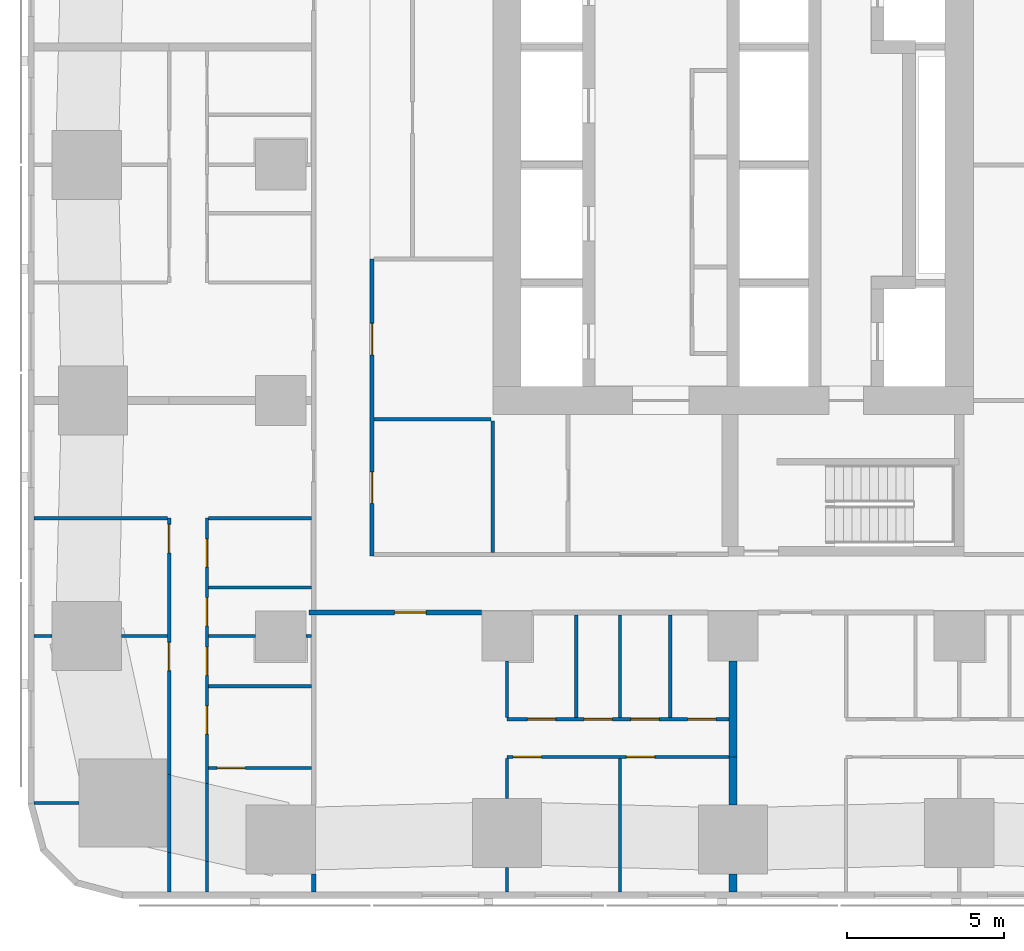
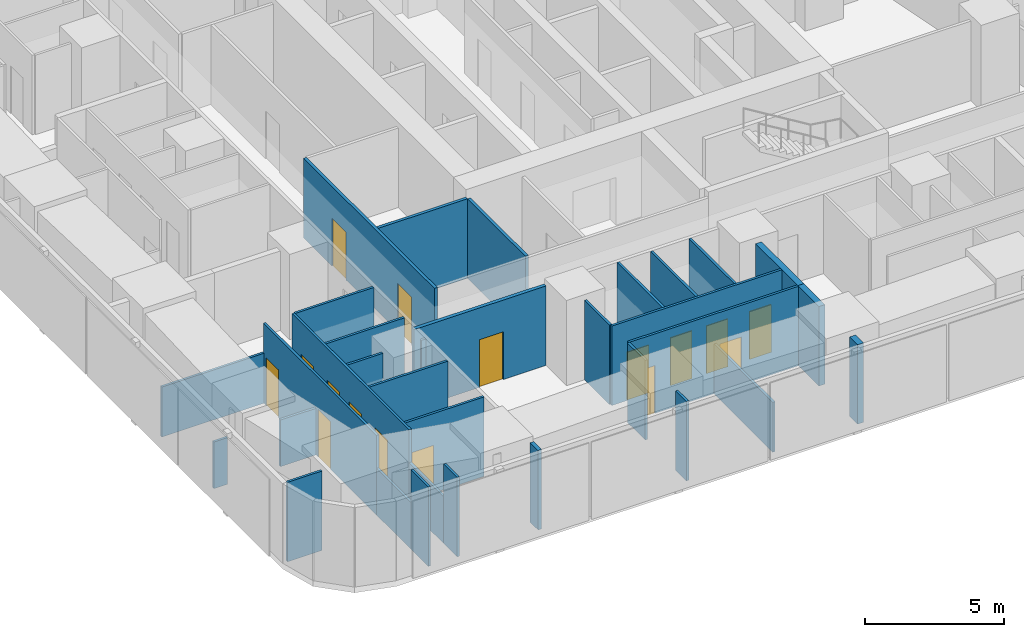
# One storey, part 2 of 15: 33 walls, 16 doors, 16 openings.
"""IFC4 building model written with IfcOpenShell, lengths in metres."""

from ifc_helpers import new_model, si_unit, direction, frame, frame_2d, origin, place, context, subcontext, project, spatial, rectangle, extrude, material, layer, layer_set, type_object, element, fill, save


model = new_model("IFC4")

# Units and contexts
model_context = context("Model", 3, precision=1e-05, world=origin(), true_north=direction((0.0, 1.0)))
body_context = subcontext(model_context, "Body", "Model", "MODEL_VIEW")
ifc_project = project(units=[si_unit("LENGTHUNIT", "METRE"), si_unit("AREAUNIT", "SQUARE_METRE"), si_unit("VOLUMEUNIT", "CUBIC_METRE"), si_unit("PLANEANGLEUNIT", "RADIAN"), si_unit("MASSUNIT", "GRAM", prefix="KILO")], contexts=[model_context])

# Site, building, storey
site_placement = place(None, origin())
site = spatial("IfcSite", under=ifc_project, at=site_placement, CompositionType="ELEMENT")
building_placement = place(site_placement, origin())
building = spatial("IfcBuilding", under=site, at=building_placement, Name="Sheger Commons Tower", CompositionType="ELEMENT")
storey_placement = place(building_placement, frame((0.0, 0.0, 104.14990234375)))
storey = spatial("IfcBuildingStorey", under=building, at=storey_placement, Name="L26", CompositionType="ELEMENT", Elevation=104.14990234375)

# Wall
ifc_material_1 = material(Name="Hollow concrete block masonry, skimmed both sides", Category="masonry")
ifc_layer_1 = layer(ifc_material_1, 0.14990234375)
ifc_layer_set_1 = layer_set([ifc_layer_1], Name="CORRIDOR WALL 150")
wall_type_1 = type_object("IfcWallType", Name="CORRIDOR WALL 150", PredefinedType="SOLIDWALL", material=ifc_layer_set_1)
wall_1_placement = place(storey_placement, frame((8.25, -0.64990234375, 0.0), z_axis=(0.0, 0.0, 1.0), x_axis=(0.0, 1.0, 0.0)))
element("IfcWall", 1, at=wall_1_placement, inside=storey, type_object=wall_type_1, Name="Corridor wall L26", PredefinedType="SOLIDWALL", context=body_context, shape_type="SweptSolid", body=[
    extrude(rectangle(XDim=0.573974609375, YDim=0.14990234375, at=frame_2d((0.287109375, 0.0))), origin(), (0.0, 0.0, 1.0), 3.5),
])

# Wall, opening, door
wall_2_placement = place(storey_placement, frame((13.59912109375, 8.25, 0.0), z_axis=(0.0, 0.0, 1.0), x_axis=(-1.0, 0.0, 0.0)))
wall_2 = element("IfcWall", 2, at=wall_2_placement, inside=storey, type_object=wall_type_1, Name="Corridor wall L26", PredefinedType="SOLIDWALL", context=body_context, shape_type="SweptSolid", body=[
    extrude(rectangle(XDim=5.4990234375, YDim=0.14990234375, at=frame_2d((2.74951171875, 0.0))), origin(), (0.0, 0.0, 1.0), 3.5),
])
opening_1_placement = place(wall_2_placement, frame((1.77392578125, 0.0, 0.0)))
opening_1 = element("IfcOpeningElement", 3, at=opening_1_placement, cuts=wall_2, Name="Opening D1", PredefinedType="OPENING", context=body_context, shape_type="SweptSolid", body=[
    extrude(rectangle(XDim=1.0, YDim=2.10009765625, at=frame_2d((0.5, 1.050048828125))), frame((0.0, 0.0849609375, 0.0), z_axis=(0.0, -1.0, 0.0), x_axis=(1.0, 0.0, 0.0)), (0.0, 0.0, 1.0), 0.169921875),
])
ifc_material_2 = material(Name="Steel door set, fire rated", Category="steel")
door_type_1 = type_object("IfcDoorType", Name="FLAT ENTRANCE DOOR 1000x2100", OperationType="NOTDEFINED", PredefinedType="DOOR", material=ifc_material_2)
door_1_placement = place(opening_1_placement, origin())
door_1 = element("IfcDoor", 4, at=door_1_placement, inside=storey, type_object=door_type_1, Name="Flat entrance door", OperationType="SINGLE_SWING_RIGHT", OverallHeight=2.10009765625, OverallWidth=1.0, PredefinedType="DOOR", context=body_context, shape_type="SweptSolid", body=[
    extrude(rectangle(XDim=1.0, YDim=2.10009765625, at=frame_2d((0.5, 1.050048828125))), frame((0.0, 0.02490234375, 0.0), z_axis=(0.0, -1.0, 0.0), x_axis=(1.0, 0.0, 0.0)), (0.0, 0.0, 1.0), 0.050048828125),
])
fill(opening_1, door_1)

# Walls
ifc_material_3 = material(Name="Dense concrete block masonry, plastered both sides (separating wall between flats)", Category="masonry")
ifc_layer_2 = layer(ifc_material_3, 0.25)
ifc_layer_set_2 = layer_set([ifc_layer_2], Name="DEMISING WALL 250")
wall_type_2 = type_object("IfcWallType", Name="DEMISING WALL 250", PredefinedType="SOLIDWALL", material=ifc_layer_set_2)
wall_3_placement = place(storey_placement, frame((21.60009765625, -0.64990234375, 0.0), z_axis=(0.0, 0.0, 1.0), x_axis=(0.0, 1.0, 0.0)))
element("IfcWall", 5, at=wall_3_placement, inside=storey, type_object=wall_type_2, Name="Demising wall L26", PredefinedType="SOLIDWALL", context=body_context, shape_type="SweptSolid", body=[
    extrude(rectangle(XDim=0.573974609375, YDim=0.25, at=frame_2d((0.287109375, 0.0))), origin(), (0.0, 0.0, 1.0), 3.5),
])
wall_4_placement = place(storey_placement, frame((21.60009765625, 2.1259765625, 0.0), z_axis=(0.0, 0.0, 1.0), x_axis=(0.0, 1.0, 0.0)))
element("IfcWall", 6, at=wall_4_placement, inside=storey, type_object=wall_type_2, Name="Demising wall L26", PredefinedType="SOLIDWALL", context=body_context, shape_type="SweptSolid", body=[
    extrude(rectangle(XDim=1.52392578125, YDim=0.25, at=frame_2d((0.761962890625, 0.0))), origin(), (0.0, 0.0, 1.0), 3.5),
])
wall_5_placement = place(storey_placement, frame((21.60009765625, 3.64990234375, 0.0), z_axis=(0.0, 0.0, 1.0), x_axis=(0.0, 1.0, 0.0)))
element("IfcWall", 7, at=wall_5_placement, inside=storey, type_object=wall_type_2, Name="Demising wall L26", PredefinedType="SOLIDWALL", context=body_context, shape_type="SweptSolid", body=[
    extrude(rectangle(XDim=3.049072265625, YDim=0.25, at=frame_2d((1.5244140625, 0.0))), origin(), (0.0, 0.0, 1.0), 3.5),
])
ifc_material_4 = material(Name="Gypsum board on steel studs", Category="steel")
ifc_layer_3 = layer(ifc_material_4, 0.10009765625)
ifc_layer_set_3 = layer_set([ifc_layer_3], Name="PARTITION 100")
wall_type_3 = type_object("IfcWallType", Name="PARTITION 100", PredefinedType="PARTITIONING", material=ifc_layer_set_3)
wall_6_placement = place(storey_placement, frame((3.64990234375, -0.64990234375, 0.0), z_axis=(0.0, 0.0, 1.0), x_axis=(0.0, 1.0, 0.0)))
element("IfcWall", 8, at=wall_6_placement, inside=storey, type_object=wall_type_3, Name="Partition L26", PredefinedType="PARTITIONING", context=body_context, shape_type="SweptSolid", body=[
    extrude(rectangle(XDim=1.25390625, YDim=0.10009765625, at=frame_2d((0.626953125, 0.0))), origin(), (0.0, 0.0, 1.0), 3.5),
])
wall_7_placement = place(storey_placement, frame((3.64990234375, 0.60400390625, 0.0), z_axis=(0.0, 0.0, 1.0), x_axis=(0.0, 1.0, 0.0)))
element("IfcWall", 9, at=wall_7_placement, inside=storey, type_object=wall_type_3, Name="Partition L26", PredefinedType="PARTITIONING", context=body_context, shape_type="SweptSolid", body=[
    extrude(rectangle(XDim=2.486083984375, YDim=0.10009765625, at=frame_2d((1.2431640625, 0.0))), origin(), (0.0, 0.0, 1.0), 2.050048828125),
])

# Wall, openings, doors
wall_8_placement = place(storey_placement, frame((3.64990234375, 3.090087890625, 0.0), z_axis=(0.0, 0.0, 1.0), x_axis=(0.0, 1.0, 0.0)))
wall_8 = element("IfcWall", 10, at=wall_8_placement, inside=storey, type_object=wall_type_3, Name="Partition L26", PredefinedType="PARTITIONING", context=body_context, shape_type="SweptSolid", body=[
    extrude(rectangle(XDim=8.159912109375, YDim=0.10009765625, at=frame_2d((4.080078125, 0.0))), origin(), (0.0, 0.0, 1.0), 3.5),
])
opening_2_placement = place(wall_8_placement, frame((7.06005859375, 0.0, 0.0)))
opening_2 = element("IfcOpeningElement", 11, at=opening_2_placement, cuts=wall_8, Name="Opening D2", PredefinedType="OPENING", context=body_context, shape_type="SweptSolid", body=[
    extrude(rectangle(XDim=0.89990234375, YDim=2.10009765625, at=frame_2d((0.449951171875, 1.050048828125))), frame((0.0, 0.06005859375, 0.0), z_axis=(0.0, -1.0, 0.0), x_axis=(1.0, 0.0, 0.0)), (0.0, 0.0, 1.0), 0.1201171875),
])
opening_3_placement = place(wall_8_placement, frame((3.31005859375, 0.0, 0.0)))
opening_3 = element("IfcOpeningElement", 12, at=opening_3_placement, cuts=wall_8, Name="Opening D2", PredefinedType="OPENING", context=body_context, shape_type="SweptSolid", body=[
    extrude(rectangle(XDim=0.89990234375, YDim=2.10009765625, at=frame_2d((0.449951171875, 1.050048828125))), frame((0.0, 0.06005859375, 0.0), z_axis=(0.0, -1.0, 0.0), x_axis=(1.0, 0.0, 0.0)), (0.0, 0.0, 1.0), 0.1201171875),
])
ifc_material_5 = material(Name="Timber door set", Category="wood")
door_type_2 = type_object("IfcDoorType", Name="INTERNAL DOOR 900x2100", OperationType="NOTDEFINED", PredefinedType="DOOR", material=ifc_material_5)
door_2_placement = place(opening_2_placement, origin())
door_2 = element("IfcDoor", 13, at=door_2_placement, inside=storey, type_object=door_type_2, Name="Main bedroom door", OperationType="SINGLE_SWING_RIGHT", OverallHeight=2.10009765625, OverallWidth=0.89990234375, PredefinedType="DOOR", context=body_context, shape_type="SweptSolid", body=[
    extrude(rectangle(XDim=0.89990234375, YDim=2.10009765625, at=frame_2d((0.449951171875, 1.050048828125))), frame((0.0, 0.02490234375, 0.0), z_axis=(0.0, -1.0, 0.0), x_axis=(1.0, 0.0, 0.0)), (0.0, 0.0, 1.0), 0.050048828125),
])
fill(opening_2, door_2)
door_3_placement = place(opening_3_placement, origin())
door_3 = element("IfcDoor", 14, at=door_3_placement, inside=storey, type_object=door_type_2, Name="Bedroom 2 door", OperationType="SINGLE_SWING_RIGHT", OverallHeight=2.10009765625, OverallWidth=0.89990234375, PredefinedType="DOOR", context=body_context, shape_type="SweptSolid", body=[
    extrude(rectangle(XDim=0.89990234375, YDim=2.10009765625, at=frame_2d((0.449951171875, 1.050048828125))), frame((0.0, 0.02490234375, 0.0), z_axis=(0.0, -1.0, 0.0), x_axis=(1.0, 0.0, 0.0)), (0.0, 0.0, 1.0), 0.050048828125),
])
fill(opening_3, door_3)

# Walls
wall_9_placement = place(storey_placement, frame((4.85009765625, -0.64990234375, 0.0), z_axis=(0.0, 0.0, 1.0), x_axis=(0.0, 1.0, 0.0)))
element("IfcWall", 15, at=wall_9_placement, inside=storey, type_object=wall_type_3, Name="Partition L26", PredefinedType="PARTITIONING", context=body_context, shape_type="SweptSolid", body=[
    extrude(rectangle(XDim=0.975830078125, YDim=0.10009765625, at=frame_2d((0.48779296875, 0.0))), origin(), (0.0, 0.0, 1.0), 3.5),
])
wall_10_placement = place(storey_placement, frame((4.85009765625, 0.325927734375, 0.0), z_axis=(0.0, 0.0, 1.0), x_axis=(0.0, 1.0, 0.0)))
element("IfcWall", 16, at=wall_10_placement, inside=storey, type_object=wall_type_3, Name="Partition L26", PredefinedType="PARTITIONING", context=body_context, shape_type="SweptSolid", body=[
    extrude(rectangle(XDim=2.486083984375, YDim=0.10009765625, at=frame_2d((1.2431640625, 0.0))), origin(), (0.0, 0.0, 1.0), 2.050048828125),
])

# Wall, openings, doors
wall_11_placement = place(storey_placement, frame((4.85009765625, 2.81201171875, 0.0), z_axis=(0.0, 0.0, 1.0), x_axis=(0.0, 1.0, 0.0)))
wall_11 = element("IfcWall", 17, at=wall_11_placement, inside=storey, type_object=wall_type_3, Name="Partition L26", PredefinedType="PARTITIONING", context=body_context, shape_type="SweptSolid", body=[
    extrude(rectangle(XDim=8.43798828125, YDim=0.10009765625, at=frame_2d((4.218994140625, 0.0))), origin(), (0.0, 0.0, 1.0), 3.5),
])
opening_4_placement = place(wall_11_placement, frame((6.883056640625, 0.0, 0.0)))
opening_4 = element("IfcOpeningElement", 18, at=opening_4_placement, cuts=wall_11, Name="Opening D2", PredefinedType="OPENING", context=body_context, shape_type="SweptSolid", body=[
    extrude(rectangle(XDim=0.89990234375, YDim=2.10009765625, at=frame_2d((0.449951171875, 1.050048828125))), frame((0.0, 0.06005859375, 0.0), z_axis=(0.0, -1.0, 0.0), x_axis=(1.0, 0.0, 0.0)), (0.0, 0.0, 1.0), 0.1201171875),
])
opening_5_placement = place(wall_11_placement, frame((3.43798828125, 0.0, 0.0)))
opening_5 = element("IfcOpeningElement", 19, at=opening_5_placement, cuts=wall_11, Name="Opening D2", PredefinedType="OPENING", context=body_context, shape_type="SweptSolid", body=[
    extrude(rectangle(XDim=0.89990234375, YDim=2.10009765625, at=frame_2d((0.449951171875, 1.050048828125))), frame((0.0, 0.06005859375, 0.0), z_axis=(0.0, -1.0, 0.0), x_axis=(1.0, 0.0, 0.0)), (0.0, 0.0, 1.0), 0.1201171875),
])
opening_6_placement = place(wall_11_placement, frame((5.008056640625, 0.0, 0.0)))
opening_6 = element("IfcOpeningElement", 20, at=opening_6_placement, cuts=wall_11, Name="Opening D2", PredefinedType="OPENING", context=body_context, shape_type="SweptSolid", body=[
    extrude(rectangle(XDim=0.89990234375, YDim=2.10009765625, at=frame_2d((0.449951171875, 1.050048828125))), frame((0.0, 0.06005859375, 0.0), z_axis=(0.0, -1.0, 0.0), x_axis=(1.0, 0.0, 0.0)), (0.0, 0.0, 1.0), 0.1201171875),
])
opening_7_placement = place(wall_11_placement, frame((1.56298828125, 0.0, 0.0)))
opening_7 = element("IfcOpeningElement", 21, at=opening_7_placement, cuts=wall_11, Name="Opening D2", PredefinedType="OPENING", context=body_context, shape_type="SweptSolid", body=[
    extrude(rectangle(XDim=0.89990234375, YDim=2.10009765625, at=frame_2d((0.449951171875, 1.050048828125))), frame((0.0, 0.06005859375, 0.0), z_axis=(0.0, -1.0, 0.0), x_axis=(1.0, 0.0, 0.0)), (0.0, 0.0, 1.0), 0.1201171875),
])
door_4_placement = place(opening_4_placement, origin())
door_4 = element("IfcDoor", 22, at=door_4_placement, inside=storey, type_object=door_type_2, Name="Bathroom door", OperationType="SINGLE_SWING_LEFT", OverallHeight=2.10009765625, OverallWidth=0.89990234375, PredefinedType="DOOR", context=body_context, shape_type="SweptSolid", body=[
    extrude(rectangle(XDim=0.89990234375, YDim=2.10009765625, at=frame_2d((0.449951171875, 1.050048828125))), frame((0.0, 0.02490234375, 0.0), z_axis=(0.0, -1.0, 0.0), x_axis=(1.0, 0.0, 0.0)), (0.0, 0.0, 1.0), 0.050048828125),
])
fill(opening_4, door_4)
door_5_placement = place(opening_5_placement, origin())
door_5 = element("IfcDoor", 23, at=door_5_placement, inside=storey, type_object=door_type_2, Name="Shower room door", OperationType="SINGLE_SWING_RIGHT", OverallHeight=2.10009765625, OverallWidth=0.89990234375, PredefinedType="DOOR", context=body_context, shape_type="SweptSolid", body=[
    extrude(rectangle(XDim=0.89990234375, YDim=2.10009765625, at=frame_2d((0.449951171875, 1.050048828125))), frame((0.0, 0.02490234375, 0.0), z_axis=(0.0, -1.0, 0.0), x_axis=(1.0, 0.0, 0.0)), (0.0, 0.0, 1.0), 0.050048828125),
])
fill(opening_5, door_5)
door_6_placement = place(opening_6_placement, origin())
door_6 = element("IfcDoor", 24, at=door_6_placement, inside=storey, type_object=door_type_2, Name="Store door", OperationType="SINGLE_SWING_LEFT", OverallHeight=2.10009765625, OverallWidth=0.89990234375, PredefinedType="DOOR", context=body_context, shape_type="SweptSolid", body=[
    extrude(rectangle(XDim=0.89990234375, YDim=2.10009765625, at=frame_2d((0.449951171875, 1.050048828125))), frame((0.0, 0.02490234375, 0.0), z_axis=(0.0, -1.0, 0.0), x_axis=(1.0, 0.0, 0.0)), (0.0, 0.0, 1.0), 0.050048828125),
])
fill(opening_6, door_6)
door_7_placement = place(opening_7_placement, origin())
door_7 = element("IfcDoor", 25, at=door_7_placement, inside=storey, type_object=door_type_2, Name="Store door", OperationType="SINGLE_SWING_LEFT", OverallHeight=2.10009765625, OverallWidth=0.89990234375, PredefinedType="DOOR", context=body_context, shape_type="SweptSolid", body=[
    extrude(rectangle(XDim=0.89990234375, YDim=2.10009765625, at=frame_2d((0.449951171875, 1.050048828125))), frame((0.0, 0.02490234375, 0.0), z_axis=(0.0, -1.0, 0.0), x_axis=(1.0, 0.0, 0.0)), (0.0, 0.0, 1.0), 0.050048828125),
])
fill(opening_7, door_7)

# Walls
wall_12_placement = place(storey_placement, frame((-0.64990234375, 2.18603515625, 0.0), z_axis=(0.0, 0.0, 1.0), x_axis=(1.0, 0.0, 0.0)))
element("IfcWall", 26, at=wall_12_placement, inside=storey, type_object=wall_type_3, Name="Partition L26", PredefinedType="PARTITIONING", context=body_context, shape_type="SweptSolid", body=[
    extrude(rectangle(XDim=1.434814453125, YDim=0.10009765625, at=frame_2d((0.71728515625, 0.0))), origin(), (0.0, 0.0, 1.0), 3.5),
])
wall_13_placement = place(storey_placement, frame((-0.64990234375, 7.5, 0.0), z_axis=(0.0, 0.0, 1.0), x_axis=(1.0, 0.0, 0.0)))
element("IfcWall", 27, at=wall_13_placement, inside=storey, type_object=wall_type_3, Name="Partition L26", PredefinedType="PARTITIONING", context=body_context, shape_type="SweptSolid", body=[
    extrude(rectangle(XDim=0.573974609375, YDim=0.10009765625, at=frame_2d((0.287109375, 0.0))), origin(), (0.0, 0.0, 1.0), 2.050048828125),
])
wall_14_placement = place(storey_placement, frame((2.1259765625, 7.5, 0.0), z_axis=(0.0, 0.0, 1.0), x_axis=(1.0, 0.0, 0.0)))
element("IfcWall", 28, at=wall_14_placement, inside=storey, type_object=wall_type_3, Name="Partition L26", PredefinedType="PARTITIONING", context=body_context, shape_type="SweptSolid", body=[
    extrude(rectangle(XDim=1.47412109375, YDim=0.10009765625, at=frame_2d((0.737060546875, 0.0))), origin(), (0.0, 0.0, 1.0), 2.050048828125),
])
wall_15_placement = place(storey_placement, frame((-0.64990234375, 11.25, 0.0), z_axis=(0.0, 0.0, 1.0), x_axis=(1.0, 0.0, 0.0)))
element("IfcWall", 29, at=wall_15_placement, inside=storey, type_object=wall_type_3, Name="Partition L26", PredefinedType="PARTITIONING", context=body_context, shape_type="SweptSolid", body=[
    extrude(rectangle(XDim=4.25, YDim=0.10009765625, at=frame_2d((2.125, 0.0))), origin(), (0.0, 0.0, 1.0), 2.2001953125),
])
wall_16_placement = place(storey_placement, frame((4.89990234375, 7.5, 0.0), z_axis=(0.0, 0.0, 1.0), x_axis=(1.0, 0.0, 0.0)))
element("IfcWall", 30, at=wall_16_placement, inside=storey, type_object=wall_type_3, Name="Partition L26", PredefinedType="PARTITIONING", context=body_context, shape_type="SweptSolid", body=[
    extrude(rectangle(XDim=1.4990234375, YDim=0.10009765625, at=frame_2d((0.74951171875, 0.0))), origin(), (0.0, 0.0, 1.0), 3.5),
])
wall_17_placement = place(storey_placement, frame((8.0009765625, 7.5, 0.0), z_axis=(0.0, 0.0, 1.0), x_axis=(1.0, 0.0, 0.0)))
element("IfcWall", 31, at=wall_17_placement, inside=storey, type_object=wall_type_3, Name="Partition L26", PredefinedType="PARTITIONING", context=body_context, shape_type="SweptSolid", body=[
    extrude(rectangle(XDim=0.174072265625, YDim=0.10009765625, at=frame_2d((0.0869140625, 0.0))), origin(), (0.0, 0.0, 1.0), 3.5),
])
for number, where, z_axis, x_axis, name in (
    (32, (4.89990234375, 11.25, 0.0), (0.0, 0.0, 1.0), (1.0, 0.0, 0.0), "Partition L26"),
    (33, (4.89990234375, 9.0400390625, 0.0), (0.0, 0.0, 1.0), (1.0, 0.0, 0.0), "Partition L26"),
    (34, (4.89990234375, 5.89990234375, 0.0), (0.0, 0.0, 1.0), (1.0, 0.0, 0.0), "Partition L26"),
):
    element("IfcWall", number, at=place(storey_placement, frame(where, z_axis=z_axis, x_axis=x_axis)), inside=storey, type_object=wall_type_3, Name=name, PredefinedType="PARTITIONING", context=body_context, shape_type="SweptSolid", body=[
        extrude(rectangle(XDim=3.275146484375, YDim=0.10009765625, at=frame_2d((1.6376953125, 0.0))), origin(), (0.0, 0.0, 1.0), 3.5),
    ])

# Wall, openings, doors
wall_18_placement = place(storey_placement, frame((21.47509765625, 3.64990234375, 0.0), z_axis=(0.0, 0.0, 1.0), x_axis=(-1.0, 0.0, 0.0)))
wall_18 = element("IfcWall", 35, at=wall_18_placement, inside=storey, type_object=wall_type_3, Name="Partition L26", PredefinedType="PARTITIONING", context=body_context, shape_type="SweptSolid", body=[
    extrude(rectangle(XDim=7.0751953125, YDim=0.10009765625, at=frame_2d((3.53759765625, 0.0))), origin(), (0.0, 0.0, 1.0), 3.5),
])
opening_8_placement = place(wall_18_placement, frame((5.97509765625, 0.0, 0.0)))
opening_8 = element("IfcOpeningElement", 36, at=opening_8_placement, cuts=wall_18, Name="Opening D2", PredefinedType="OPENING", context=body_context, shape_type="SweptSolid", body=[
    extrude(rectangle(XDim=0.89990234375, YDim=2.10009765625, at=frame_2d((0.449951171875, 1.050048828125))), frame((0.0, 0.06005859375, 0.0), z_axis=(0.0, -1.0, 0.0), x_axis=(1.0, 0.0, 0.0)), (0.0, 0.0, 1.0), 0.1201171875),
])
opening_9_placement = place(wall_18_placement, frame((2.375, 0.0, 0.0)))
opening_9 = element("IfcOpeningElement", 37, at=opening_9_placement, cuts=wall_18, Name="Opening D2", PredefinedType="OPENING", context=body_context, shape_type="SweptSolid", body=[
    extrude(rectangle(XDim=0.89990234375, YDim=2.10009765625, at=frame_2d((0.449951171875, 1.050048828125))), frame((0.0, 0.06005859375, 0.0), z_axis=(0.0, -1.0, 0.0), x_axis=(1.0, 0.0, 0.0)), (0.0, 0.0, 1.0), 0.1201171875),
])
door_8_placement = place(opening_8_placement, origin())
door_8 = element("IfcDoor", 38, at=door_8_placement, inside=storey, type_object=door_type_2, Name="Main bedroom door", OperationType="SINGLE_SWING_RIGHT", OverallHeight=2.10009765625, OverallWidth=0.89990234375, PredefinedType="DOOR", context=body_context, shape_type="SweptSolid", body=[
    extrude(rectangle(XDim=0.89990234375, YDim=2.10009765625, at=frame_2d((0.449951171875, 1.050048828125))), frame((0.0, 0.02490234375, 0.0), z_axis=(0.0, -1.0, 0.0), x_axis=(1.0, 0.0, 0.0)), (0.0, 0.0, 1.0), 0.050048828125),
])
fill(opening_8, door_8)
door_9_placement = place(opening_9_placement, origin())
door_9 = element("IfcDoor", 39, at=door_9_placement, inside=storey, type_object=door_type_2, Name="Bedroom 2 door", OperationType="SINGLE_SWING_RIGHT", OverallHeight=2.10009765625, OverallWidth=0.89990234375, PredefinedType="DOOR", context=body_context, shape_type="SweptSolid", body=[
    extrude(rectangle(XDim=0.89990234375, YDim=2.10009765625, at=frame_2d((0.449951171875, 1.050048828125))), frame((0.0, 0.02490234375, 0.0), z_axis=(0.0, -1.0, 0.0), x_axis=(1.0, 0.0, 0.0)), (0.0, 0.0, 1.0), 0.050048828125),
])
fill(opening_9, door_9)

wall_19_placement = place(storey_placement, frame((21.47509765625, 4.85009765625, 0.0), z_axis=(0.0, 0.0, 1.0), x_axis=(-1.0, 0.0, 0.0)))
wall_19 = element("IfcWall", 40, at=wall_19_placement, inside=storey, type_object=wall_type_3, Name="Partition L26", PredefinedType="PARTITIONING", context=body_context, shape_type="SweptSolid", body=[
    extrude(rectangle(XDim=7.0751953125, YDim=0.10009765625, at=frame_2d((3.53759765625, 0.0))), origin(), (0.0, 0.0, 1.0), 3.5),
])
opening_10_placement = place(wall_19_placement, frame((5.52001953125, 0.0, 0.0)))
opening_10 = element("IfcOpeningElement", 41, at=opening_10_placement, cuts=wall_19, Name="Opening D2", PredefinedType="OPENING", context=body_context, shape_type="SweptSolid", body=[
    extrude(rectangle(XDim=0.89990234375, YDim=2.10009765625, at=frame_2d((0.449951171875, 1.050048828125))), frame((0.0, 0.06005859375, 0.0), z_axis=(0.0, -1.0, 0.0), x_axis=(1.0, 0.0, 0.0)), (0.0, 0.0, 1.0), 0.1201171875),
])
opening_11_placement = place(wall_19_placement, frame((2.22509765625, 0.0, 0.0)))
opening_11 = element("IfcOpeningElement", 42, at=opening_11_placement, cuts=wall_19, Name="Opening D2", PredefinedType="OPENING", context=body_context, shape_type="SweptSolid", body=[
    extrude(rectangle(XDim=0.89990234375, YDim=2.10009765625, at=frame_2d((0.449951171875, 1.050048828125))), frame((0.0, 0.06005859375, 0.0), z_axis=(0.0, -1.0, 0.0), x_axis=(1.0, 0.0, 0.0)), (0.0, 0.0, 1.0), 0.1201171875),
])
opening_12_placement = place(wall_19_placement, frame((3.719970703125, 0.0, 0.0)))
opening_12 = element("IfcOpeningElement", 43, at=opening_12_placement, cuts=wall_19, Name="Opening D2", PredefinedType="OPENING", context=body_context, shape_type="SweptSolid", body=[
    extrude(rectangle(XDim=0.89990234375, YDim=2.10009765625, at=frame_2d((0.449951171875, 1.050048828125))), frame((0.0, 0.06005859375, 0.0), z_axis=(0.0, -1.0, 0.0), x_axis=(1.0, 0.0, 0.0)), (0.0, 0.0, 1.0), 0.1201171875),
])
opening_13_placement = place(wall_19_placement, frame((0.425048828125, 0.0, 0.0)))
opening_13 = element("IfcOpeningElement", 44, at=opening_13_placement, cuts=wall_19, Name="Opening D2", PredefinedType="OPENING", context=body_context, shape_type="SweptSolid", body=[
    extrude(rectangle(XDim=0.89990234375, YDim=2.10009765625, at=frame_2d((0.449951171875, 1.050048828125))), frame((0.0, 0.06005859375, 0.0), z_axis=(0.0, -1.0, 0.0), x_axis=(1.0, 0.0, 0.0)), (0.0, 0.0, 1.0), 0.1201171875),
])
door_10_placement = place(opening_10_placement, origin())
door_10 = element("IfcDoor", 45, at=door_10_placement, inside=storey, type_object=door_type_2, Name="Bathroom door", OperationType="SINGLE_SWING_LEFT", OverallHeight=2.10009765625, OverallWidth=0.89990234375, PredefinedType="DOOR", context=body_context, shape_type="SweptSolid", body=[
    extrude(rectangle(XDim=0.89990234375, YDim=2.10009765625, at=frame_2d((0.449951171875, 1.050048828125))), frame((0.0, 0.02490234375, 0.0), z_axis=(0.0, -1.0, 0.0), x_axis=(1.0, 0.0, 0.0)), (0.0, 0.0, 1.0), 0.050048828125),
])
fill(opening_10, door_10)
door_11_placement = place(opening_11_placement, origin())
door_11 = element("IfcDoor", 46, at=door_11_placement, inside=storey, type_object=door_type_2, Name="Shower room door", OperationType="SINGLE_SWING_LEFT", OverallHeight=2.10009765625, OverallWidth=0.89990234375, PredefinedType="DOOR", context=body_context, shape_type="SweptSolid", body=[
    extrude(rectangle(XDim=0.89990234375, YDim=2.10009765625, at=frame_2d((0.449951171875, 1.050048828125))), frame((0.0, 0.02490234375, 0.0), z_axis=(0.0, -1.0, 0.0), x_axis=(1.0, 0.0, 0.0)), (0.0, 0.0, 1.0), 0.050048828125),
])
fill(opening_11, door_11)
door_12_placement = place(opening_12_placement, origin())
door_12 = element("IfcDoor", 47, at=door_12_placement, inside=storey, type_object=door_type_2, Name="Store door", OperationType="SINGLE_SWING_LEFT", OverallHeight=2.10009765625, OverallWidth=0.89990234375, PredefinedType="DOOR", context=body_context, shape_type="SweptSolid", body=[
    extrude(rectangle(XDim=0.89990234375, YDim=2.10009765625, at=frame_2d((0.449951171875, 1.050048828125))), frame((0.0, 0.02490234375, 0.0), z_axis=(0.0, -1.0, 0.0), x_axis=(1.0, 0.0, 0.0)), (0.0, 0.0, 1.0), 0.050048828125),
])
fill(opening_12, door_12)
door_13_placement = place(opening_13_placement, origin())
door_13 = element("IfcDoor", 48, at=door_13_placement, inside=storey, type_object=door_type_2, Name="Store door", OperationType="SINGLE_SWING_RIGHT", OverallHeight=2.10009765625, OverallWidth=0.89990234375, PredefinedType="DOOR", context=body_context, shape_type="SweptSolid", body=[
    extrude(rectangle(XDim=0.89990234375, YDim=2.10009765625, at=frame_2d((0.449951171875, 1.050048828125))), frame((0.0, 0.02490234375, 0.0), z_axis=(0.0, -1.0, 0.0), x_axis=(1.0, 0.0, 0.0)), (0.0, 0.0, 1.0), 0.050048828125),
])
fill(opening_13, door_13)

# Walls
wall_20_placement = place(storey_placement, frame((14.39990234375, -0.64990234375, 0.0), z_axis=(0.0, 0.0, 1.0), x_axis=(0.0, 1.0, 0.0)))
element("IfcWall", 49, at=wall_20_placement, inside=storey, type_object=wall_type_3, Name="Partition L26", PredefinedType="PARTITIONING", context=body_context, shape_type="SweptSolid", body=[
    extrude(rectangle(XDim=0.77392578125, YDim=0.10009765625, at=frame_2d((0.386962890625, 0.0))), origin(), (0.0, 0.0, 1.0), 3.5),
])
wall_21_placement = place(storey_placement, frame((14.39990234375, 2.325927734375, 0.0), z_axis=(0.0, 0.0, 1.0), x_axis=(0.0, 1.0, 0.0)))
element("IfcWall", 50, at=wall_21_placement, inside=storey, type_object=wall_type_3, Name="Partition L26", PredefinedType="PARTITIONING", context=body_context, shape_type="SweptSolid", body=[
    extrude(rectangle(XDim=1.274169921875, YDim=0.10009765625, at=frame_2d((0.63720703125, 0.0))), origin(), (0.0, 0.0, 1.0), 3.5),
])
wall_22_placement = place(storey_placement, frame((18.0, -0.64990234375, 0.0), z_axis=(0.0, 0.0, 1.0), x_axis=(0.0, 1.0, 0.0)))
element("IfcWall", 51, at=wall_22_placement, inside=storey, type_object=wall_type_3, Name="Partition L26", PredefinedType="PARTITIONING", context=body_context, shape_type="SweptSolid", body=[
    extrude(rectangle(XDim=4.25, YDim=0.10009765625, at=frame_2d((2.125, 0.0))), origin(), (0.0, 0.0, 1.0), 2.2001953125),
])
wall_23_placement = place(storey_placement, frame((14.39990234375, 4.89990234375, 0.0), z_axis=(0.0, 0.0, 1.0), x_axis=(0.0, 1.0, 0.0)))
element("IfcWall", 52, at=wall_23_placement, inside=storey, type_object=wall_type_3, Name="Partition L26", PredefinedType="PARTITIONING", context=body_context, shape_type="SweptSolid", body=[
    extrude(rectangle(XDim=1.799072265625, YDim=0.10009765625, at=frame_2d((0.8994140625, 0.0))), origin(), (0.0, 0.0, 1.0), 3.5),
])
for number, where, z_axis, x_axis, name in (
    (53, (18.0, 4.89990234375, 0.0), (0.0, 0.0, 1.0), (0.0, 1.0, 0.0), "Partition L26"),
    (54, (16.610107421875, 4.89990234375, 0.0), (0.0, 0.0, 1.0), (0.0, 1.0, 0.0), "Partition L26"),
    (55, (19.60009765625, 4.89990234375, 0.0), (0.0, 0.0, 1.0), (0.0, 1.0, 0.0), "Partition L26"),
):
    element("IfcWall", number, at=place(storey_placement, frame(where, z_axis=z_axis, x_axis=x_axis)), inside=storey, type_object=wall_type_3, Name=name, PredefinedType="PARTITIONING", context=body_context, shape_type="SweptSolid", body=[
        extrude(rectangle(XDim=3.275146484375, YDim=0.10009765625, at=frame_2d((1.6376953125, 0.0))), origin(), (0.0, 0.0, 1.0), 3.5),
    ])

# Wall, opening, door
wall_24_placement = place(storey_placement, frame((8.175048828125, 3.300048828125, 0.0), z_axis=(0.0, 0.0, 1.0), x_axis=(-1.0, 0.0, 0.0)))
wall_24 = element("IfcWall", 56, at=wall_24_placement, inside=storey, type_object=wall_type_3, Name="Partition L26", PredefinedType="PARTITIONING", context=body_context, shape_type="SweptSolid", body=[
    extrude(rectangle(XDim=3.275146484375, YDim=0.10009765625, at=frame_2d((1.6376953125, 0.0))), origin(), (0.0, 0.0, 1.0), 3.5),
])
opening_14_placement = place(wall_24_placement, frame((2.10009765625, 0.0, 0.0)))
opening_14 = element("IfcOpeningElement", 57, at=opening_14_placement, cuts=wall_24, Name="Opening D2", PredefinedType="OPENING", context=body_context, shape_type="SweptSolid", body=[
    extrude(rectangle(XDim=0.89990234375, YDim=2.10009765625, at=frame_2d((0.449951171875, 1.050048828125))), frame((0.0, 0.06005859375, 0.0), z_axis=(0.0, -1.0, 0.0), x_axis=(1.0, 0.0, 0.0)), (0.0, 0.0, 1.0), 0.1201171875),
])
door_14_placement = place(opening_14_placement, origin())
door_14 = element("IfcDoor", 58, at=door_14_placement, inside=storey, type_object=door_type_2, Name="Store door", OperationType="SINGLE_SWING_LEFT", OverallHeight=2.10009765625, OverallWidth=0.89990234375, PredefinedType="DOOR", context=body_context, shape_type="SweptSolid", body=[
    extrude(rectangle(XDim=0.89990234375, YDim=2.10009765625, at=frame_2d((0.449951171875, 1.050048828125))), frame((0.0, 0.02490234375, 0.0), z_axis=(0.0, -1.0, 0.0), x_axis=(1.0, 0.0, 0.0)), (0.0, 0.0, 1.0), 0.050048828125),
])
fill(opening_14, door_14)

# Wall, openings, doors
ifc_material_6 = material(Name="Gypsum board on steel studs, two layers each side, fire rated", Category="steel")
ifc_layer_4 = layer(ifc_material_6, 0.125)
ifc_layer_set_4 = layer_set([ifc_layer_4], Name="SERVICE WALL 125")
wall_type_4 = type_object("IfcWallType", Name="SERVICE WALL 125", PredefinedType="PARTITIONING", material=ifc_layer_set_4)
wall_25_placement = place(storey_placement, frame((10.10009765625, 10.050048828125, 0.0), z_axis=(0.0, 0.0, 1.0), x_axis=(0.0, 1.0, 0.0)))
wall_25 = element("IfcWall", 59, at=wall_25_placement, inside=storey, type_object=wall_type_4, Name="Service room wall L26", PredefinedType="PARTITIONING", context=body_context, shape_type="SweptSolid", body=[
    extrude(rectangle(XDim=9.449951171875, YDim=0.125, at=frame_2d((4.72509765625, 0.0))), origin(), (0.0, 0.0, 1.0), 3.5),
])
opening_15_placement = place(wall_25_placement, frame((1.675048828125, 0.0, 0.0)))
opening_15 = element("IfcOpeningElement", 60, at=opening_15_placement, cuts=wall_25, Name="Opening D4", PredefinedType="OPENING", context=body_context, shape_type="SweptSolid", body=[
    extrude(rectangle(XDim=1.0, YDim=2.10009765625, at=frame_2d((0.5, 1.050048828125))), frame((0.0, 0.072509765625, 0.0), z_axis=(0.0, -1.0, 0.0), x_axis=(1.0, 0.0, 0.0)), (0.0, 0.0, 1.0), 0.14501953125),
])
opening_16_placement = place(wall_25_placement, frame((6.39990234375, 0.0, 0.0)))
opening_16 = element("IfcOpeningElement", 61, at=opening_16_placement, cuts=wall_25, Name="Opening D4", PredefinedType="OPENING", context=body_context, shape_type="SweptSolid", body=[
    extrude(rectangle(XDim=1.0, YDim=2.10009765625, at=frame_2d((0.5, 1.050048828125))), frame((0.0, 0.072509765625, 0.0), z_axis=(0.0, -1.0, 0.0), x_axis=(1.0, 0.0, 0.0)), (0.0, 0.0, 1.0), 0.14501953125),
])
ifc_material_7 = material(Name="Steel door set, fire rated", Category="steel")
door_type_3 = type_object("IfcDoorType", Name="SERVICE DOOR 1000x2100", OperationType="NOTDEFINED", PredefinedType="DOOR", material=ifc_material_7)
door_15_placement = place(opening_15_placement, origin())
door_15 = element("IfcDoor", 62, at=door_15_placement, inside=storey, type_object=door_type_3, Name="Refuse chute room door", OperationType="SINGLE_SWING_RIGHT", OverallHeight=2.10009765625, OverallWidth=1.0, PredefinedType="DOOR", context=body_context, shape_type="SweptSolid", body=[
    extrude(rectangle(XDim=1.0, YDim=2.10009765625, at=frame_2d((0.5, 1.050048828125))), frame((0.0, 0.02490234375, 0.0), z_axis=(0.0, -1.0, 0.0), x_axis=(1.0, 0.0, 0.0)), (0.0, 0.0, 1.0), 0.050048828125),
])
fill(opening_15, door_15)
door_16_placement = place(opening_16_placement, origin())
door_16 = element("IfcDoor", 63, at=door_16_placement, inside=storey, type_object=door_type_3, Name="Caretaker's store door", OperationType="SINGLE_SWING_LEFT", OverallHeight=2.10009765625, OverallWidth=1.0, PredefinedType="DOOR", context=body_context, shape_type="SweptSolid", body=[
    extrude(rectangle(XDim=1.0, YDim=2.10009765625, at=frame_2d((0.5, 1.050048828125))), frame((0.0, 0.02490234375, 0.0), z_axis=(0.0, -1.0, 0.0), x_axis=(1.0, 0.0, 0.0)), (0.0, 0.0, 1.0), 0.050048828125),
])
fill(opening_16, door_16)

# Walls
wall_26_placement = place(storey_placement, frame((10.1630859375, 14.39990234375, 0.0), z_axis=(0.0, 0.0, 1.0), x_axis=(1.0, 0.0, 0.0)))
element("IfcWall", 64, at=wall_26_placement, inside=storey, type_object=wall_type_4, Name="Service room wall L26", PredefinedType="PARTITIONING", context=body_context, shape_type="SweptSolid", body=[
    extrude(rectangle(XDim=3.724853515625, YDim=0.125, at=frame_2d((1.8623046875, 0.0))), origin(), (0.0, 0.0, 1.0), 3.5),
])
wall_27_placement = place(storey_placement, frame((13.949951171875, 10.1630859375, 0.0), z_axis=(0.0, 0.0, 1.0), x_axis=(0.0, 1.0, 0.0)))
element("IfcWall", 65, at=wall_27_placement, inside=storey, type_object=wall_type_4, Name="Service room wall L26", PredefinedType="PARTITIONING", context=body_context, shape_type="SweptSolid", body=[
    extrude(rectangle(XDim=4.1748046875, YDim=0.125, at=frame_2d((2.08740234375, 0.0))), origin(), (0.0, 0.0, 1.0), 3.5),
])

save(model, "model.ifc")
